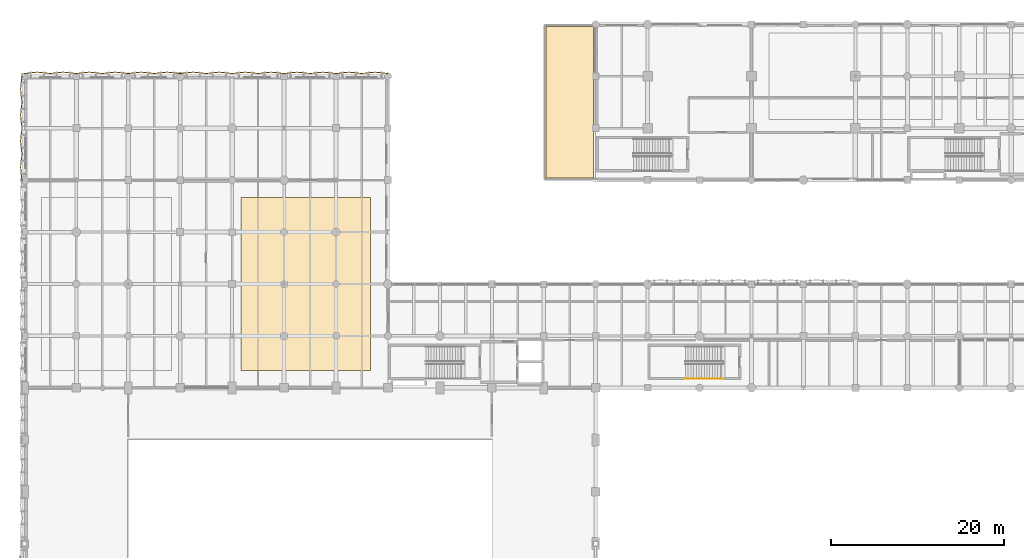
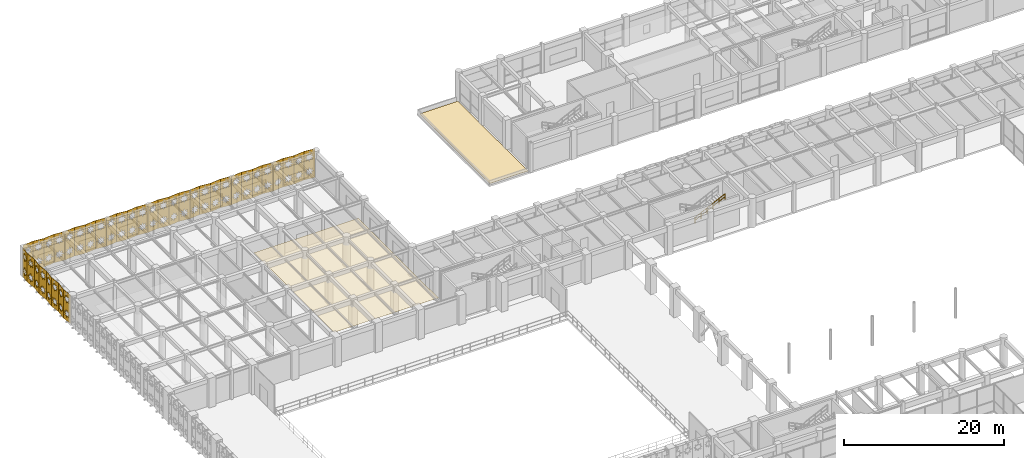
# One storey, part 127 of 133: 38 coverings, 1 railing.
"""IFC4 building model written with IfcOpenShell, lengths in metres."""

import ifcopenshell
import ifcopenshell.guid

model = None  # the IFC model being written
_history = None  # IfcOwnerHistory: only IFC2X3 demands one
_inside = {}  # id of a spatial element -> (the spatial element, [elements in it])
_under = {}  # id of a project, library or spatial element -> (it, [spatial elements below it])
_declared = {}  # id of a project -> (the project, [libraries it declares])
_typed = {}  # id of a type object -> (the type object, [elements of that type])
_made_of = {}  # id of a material, layer set ... -> (it, [elements and type objects made of it])


def new_model(schema):
    """Start an empty IFC model of exactly this schema.

    Asked for "IFC4X3", IfcOpenShell would pick the latest addendum, in which some entities
    have other attributes; the version numbers below select the first issue.
    IFC2X3 requires an IfcOwnerHistory on every rooted entity: one is made here for all.
    """
    global model, _history
    if schema == "IFC4X3":
        model = ifcopenshell.file(schema_version=(4, 3, 0, 0))
    else:
        model = ifcopenshell.file(schema=schema)
    _inside.clear()
    _under.clear()
    _declared.clear()
    _typed.clear()
    _made_of.clear()
    _history = None
    if model.schema == "IFC2X3":
        org = make("IfcOrganization", Name="unknown")
        user = make(
            "IfcPersonAndOrganization",
            ThePerson=make("IfcPerson", FamilyName="unknown"),
            TheOrganization=org,
        )
        app = make(
            "IfcApplication",
            ApplicationDeveloper=org,
            Version="unknown",
            ApplicationFullName="unknown",
            ApplicationIdentifier="unknown",
        )
        _history = make(
            "IfcOwnerHistory",
            OwningUser=user,
            OwningApplication=app,
            ChangeAction="ADDED",
            CreationDate=0,
        )
    return model


def make(cls, **values):
    """One entity of the class cls with the attributes given. An attribute that is None is left unset."""
    return model.create_entity(
        cls, **{name: value for name, value in values.items() if value is not None}
    )


def rooted(cls, **values):
    """An entity with a GlobalId (a new one), such as an element, a storey or a relation."""
    return make(cls, GlobalId=ifcopenshell.guid.new(), OwnerHistory=_history, **values)


def si_unit(unit_type, name, prefix=None):
    """IfcSIUnit, for example si_unit("LENGTHUNIT", "METRE", prefix="MILLI")."""
    return make("IfcSIUnit", UnitType=unit_type, Prefix=prefix, Name=name)


def assignment(units):
    """IfcUnitAssignment: the units of a project."""
    return None if units is None else make("IfcUnitAssignment", Units=units)


def point(xyz):
    """IfcCartesianPoint."""
    return None if xyz is None else make("IfcCartesianPoint", Coordinates=xyz)


def direction(xyz):
    """IfcDirection."""
    return None if xyz is None else make("IfcDirection", DirectionRatios=xyz)


def frame(location, z_axis=None, x_axis=None):
    """IfcAxis2Placement3D, a coordinate frame: its origin and axes. An axis left out is left unset."""
    return make(
        "IfcAxis2Placement3D",
        Location=point(location),
        Axis=direction(z_axis),
        RefDirection=direction(x_axis),
    )


def frame_2d(location, x_axis=None):
    """IfcAxis2Placement2D, a coordinate frame in the plane: its origin and x axis."""
    return make(
        "IfcAxis2Placement2D", Location=point(location), RefDirection=direction(x_axis)
    )


def origin():
    """The frame at (0, 0, 0) with its axes left unset."""
    return frame((0.0, 0.0, 0.0))


def origin_2d():
    """The frame at (0, 0) in the plane with its x axis left unset."""
    return frame_2d((0.0, 0.0))


def place(relative_to, where):
    """IfcLocalPlacement: puts the frame where relative to a parent placement (None: the world)."""
    return make(
        "IfcLocalPlacement", PlacementRelTo=relative_to, RelativePlacement=where
    )


def context(
    kind, dimensions, precision=None, world=None, true_north=None, identifier=None
):
    """IfcGeometricRepresentationContext, for example the 3D "Model" context."""
    return make(
        "IfcGeometricRepresentationContext",
        ContextIdentifier=identifier,
        ContextType=kind,
        CoordinateSpaceDimension=dimensions,
        Precision=precision,
        WorldCoordinateSystem=world,
        TrueNorth=true_north,
    )


def subcontext(parent, identifier, kind, view, scale=None):
    """IfcGeometricRepresentationSubContext, for example "Body" below "Model"."""
    return make(
        "IfcGeometricRepresentationSubContext",
        ContextIdentifier=identifier,
        ContextType=kind,
        ParentContext=parent,
        TargetScale=scale,
        TargetView=view,
    )


def project(units=None, contexts=None):
    """IfcProject with its units and contexts."""
    return rooted(
        "IfcProject",
        Name="project",
        RepresentationContexts=contexts,
        UnitsInContext=assignment(units),
    )


def spatial(cls, under=None, at=None, **own):
    """A site, building, storey or space (cls), placed at a placement, below another one or the project."""
    s = rooted(cls, ObjectPlacement=at, **own)
    if under is not None:
        _under.setdefault(under.id(), (under, []))[1].append(s)
    return s


def polyline(points):
    """IfcPolyline through the points."""
    return make("IfcPolyline", Points=[point(p) for p in points])


def profile(cls, at=None, kind="AREA", **sizes):
    """A parametric profile (cls). Its sizes go by their IFC names, for example OverallWidth=200.0."""
    return make(cls, ProfileType=kind, Position=at, **sizes)


def circle(**sizes):
    """IfcCircleProfileDef."""
    return profile("IfcCircleProfileDef", **sizes)


def outline(outer, holes=None, kind="AREA"):
    """IfcArbitraryClosedProfileDef: a profile drawn as a closed curve; with holes, ...WithVoids."""
    if holes is None:
        return make("IfcArbitraryClosedProfileDef", ProfileType=kind, OuterCurve=outer)
    return make(
        "IfcArbitraryProfileDefWithVoids",
        ProfileType=kind,
        OuterCurve=outer,
        InnerCurves=holes,
    )


def extrude(swept, where, along, depth):
    """IfcExtrudedAreaSolid: the profile swept, set in the frame where, extruded along a direction by depth."""
    return make(
        "IfcExtrudedAreaSolid",
        SweptArea=swept,
        Position=where,
        ExtrudedDirection=direction(along),
        Depth=depth,
    )


def shape(context_of_items, identifier, shape_type, items):
    """IfcShapeRepresentation: the items that make up one representation, for example the "Body"."""
    return make(
        "IfcShapeRepresentation",
        ContextOfItems=context_of_items,
        RepresentationIdentifier=identifier,
        RepresentationType=shape_type,
        Items=items,
    )


def material(Name=None, Category=None):
    """IfcMaterial."""
    return make("IfcMaterial", Name=Name, Category=Category)


def layer(
    of_material, thickness, ventilated=None, Name=None, Category=None, Priority=None
):
    """IfcMaterialLayer: one layer of a wall or slab, of a material (None: an air gap)."""
    return make(
        "IfcMaterialLayer",
        Material=of_material,
        LayerThickness=thickness,
        IsVentilated=ventilated,
        Name=Name,
        Category=Category,
        Priority=Priority,
    )


def layer_set(layers, Name=None):
    """IfcMaterialLayerSet."""
    return make("IfcMaterialLayerSet", MaterialLayers=layers, LayerSetName=Name)


def made_of(thing, what):
    """Note that an element or type object is made of a material, layer set ...; save() writes the relation."""
    if what is not None:
        _made_of.setdefault(what.id(), (what, []))[1].append(thing)
    return thing


def type_object(cls, material=None, **own):
    """A type object (cls), such as IfcWallType, which elements share."""
    return made_of(rooted(cls, **own), material)


def element(
    cls,
    number,
    at=None,
    inside=None,
    cuts=None,
    type_object=None,
    material=None,
    context=None,
    identifier="Body",
    shape_type=None,
    held_by="IfcProductDefinitionShape",
    body=None,
    shapes=None,
    **own,
):
    """One element of the class cls, such as IfcWall. Its Tag is "e" and its number.

    at: its placement. inside: the storey or other place that contains it. cuts: it is an
    opening in that element (IfcRelVoidsElement). A single representation is given by context,
    identifier, shape_type and body (its items); several are given by shapes. held_by: the class
    of the entity that holds the representations. save() writes the other relations.
    """
    e = rooted(cls, Tag="e%d" % number, ObjectPlacement=at, **own)
    if body is not None:
        shapes = [shape(context, identifier, shape_type, body)]
    if shapes is not None:
        e.Representation = make(held_by, Representations=shapes)
    if inside is not None:
        _inside.setdefault(inside.id(), (inside, []))[1].append(e)
    if cuts is not None:
        rooted(
            "IfcRelVoidsElement", RelatingBuildingElement=cuts, RelatedOpeningElement=e
        )
    if type_object is not None:
        _typed.setdefault(type_object.id(), (type_object, []))[1].append(e)
    return made_of(e, material)


def aggregate(whole, parts):
    """IfcRelAggregates: a whole, such as a stair, and the parts it consists of."""
    return rooted("IfcRelAggregates", RelatingObject=whole, RelatedObjects=parts)


def save(model, path):
    """Write the relations noted so far, then the file.

    IfcRelAggregates (storeys below a building ...), IfcRelContainedInSpatialStructure (elements
    in a storey), IfcRelDefinesByType, IfcRelAssociatesMaterial and IfcRelDeclares: one each for
    every whole, place, type object, material and project.
    """
    for whole, parts in _under.values():
        aggregate(whole, parts)
    for where, things in _inside.values():
        rooted(
            "IfcRelContainedInSpatialStructure",
            RelatedElements=things,
            RelatingStructure=where,
        )
    for kind, things in _typed.values():
        rooted("IfcRelDefinesByType", RelatedObjects=things, RelatingType=kind)
    for what, things in _made_of.values():
        rooted("IfcRelAssociatesMaterial", RelatedObjects=things, RelatingMaterial=what)
    for by, libraries in _declared.values():
        rooted("IfcRelDeclares", RelatingContext=by, RelatedDefinitions=libraries)
    model.write(path)


model = new_model("IFC4")

# Units and contexts
model_context = context("Model", 3, precision=1e-05, world=origin(), true_north=direction((0.0, 1.0)))
body_context = subcontext(model_context, "Body", "Model", "MODEL_VIEW")
ifc_project = project(units=[si_unit("LENGTHUNIT", "METRE"), si_unit("AREAUNIT", "SQUARE_METRE"), si_unit("VOLUMEUNIT", "CUBIC_METRE"), si_unit("PLANEANGLEUNIT", "RADIAN"), si_unit("MASSUNIT", "GRAM", prefix="KILO"), si_unit("THERMODYNAMICTEMPERATUREUNIT", "KELVIN"), si_unit("POWERUNIT", "WATT")], contexts=[model_context])

# Site, building, storey
site_placement = place(None, origin())
site = spatial("IfcSite", under=ifc_project, at=site_placement, CompositionType="ELEMENT")
building_placement = place(site_placement, origin())
building = spatial("IfcBuilding", under=site, at=building_placement, Name="Phaisarnlok Congress Hotel", CompositionType="ELEMENT")
storey_placement = place(building_placement, frame((0.0, 0.0, 6.0)))
storey = spatial("IfcBuildingStorey", under=building, at=storey_placement, Name="L01", CompositionType="ELEMENT", Elevation=6.0)

# Coverings
ifc_material_1 = material(Name="Moisture-Resistant Gypsum Ceiling Board", Category="gypsum")
ifc_layer_1 = layer(ifc_material_1, 0.014892578125, Name="Moisture-Resistant Gypsum Ceiling Board")
ifc_layer_set_1 = layer_set([ifc_layer_1], Name="Moisture-Resistant Gypsum Ceiling Board")
covering_type_1 = type_object("IfcCoveringType", Name="CLG-GYP-15", PredefinedType="CEILING", material=ifc_layer_set_1)
covering_1_placement = place(storey_placement, frame((0.0, 0.0, 3.199951171875)))
element("IfcCovering", 1, at=covering_1_placement, inside=storey, type_object=covering_type_1, Name="Suspended ceiling CLG-02 (L01)", PredefinedType="CEILING", context=body_context, shape_type="SweptSolid", body=[
    extrude(outline(polyline([(40.0, 106.0), (40.0, 86.0), (25.0, 86.0), (25.0, 106.0), (40.0, 106.0)])), origin(), (0.0, 0.0, 1.0), 0.01513671875),
])
ifc_material_2 = material(Name="TPO Waterproofing Membrane & Rigid PIR Insulation", Category="other")
ifc_layer_2 = layer(ifc_material_2, 0.050048828125, Name="TPO Waterproofing Membrane & Rigid PIR Insulation")
ifc_layer_set_2 = layer_set([ifc_layer_2], Name="TPO Waterproofing Membrane & Rigid PIR Insulation")
covering_type_2 = type_object("IfcCoveringType", Name="COV-ROOF-MEMB", PredefinedType="ROOFING", material=ifc_layer_set_2)
covering_2_placement = place(storey_placement, origin())
element("IfcCovering", 2, at=covering_2_placement, inside=storey, type_object=covering_type_2, Name="Podium roof waterproofing membrane RF-01 (L01 pod_rest_w)", PredefinedType="ROOFING", context=body_context, shape_type="SweptSolid", body=[
    extrude(outline(polyline([(60.25, 108.25), (65.75, 108.25), (65.75, 125.75), (60.25, 125.75), (60.25, 108.25)])), origin(), (0.0, 0.0, 1.0), 0.050048828125),
])
ifc_material_3 = material(Name="PVDF White Perforated Aluminium Alloy 5052", Category="aluminium")
ifc_layer_3 = layer(ifc_material_3, 0.0400390625, Name="PVDF White Perforated Aluminium Alloy 5052")
ifc_layer_set_3 = layer_set([ifc_layer_3], Name="PVDF White Perforated Aluminium Alloy 5052")
covering_type_3 = type_object("IfcCoveringType", Name="COV-STAR-FOLD", PredefinedType="CLADDING", material=ifc_layer_set_3)
for number, where, z_axis, x_axis, name in (
    (3, (-0.300048828125, 108.0, 0.06005859375), (0.994517863207, 0.104566819602, 0.0), (-0.104566819602, 0.994517863207, 0.0), "Folded star-perforated hall screen SS-02 (V3W L01)"),
    (4, (-0.457763671875, 109.5, 0.06005859375), (0.994517863207, -0.104566819602, 0.0), (0.104566819602, 0.994517863207, 0.0), "Folded star-perforated hall screen SS-02 (V3W L01)"),
    (5, (-0.300048828125, 111.0, 0.06005859375), (0.994517863207, 0.104566819602, 0.0), (-0.104566819602, 0.994517863207, 0.0), "Folded star-perforated hall screen SS-02 (V3W L01)"),
    (6, (-0.457763671875, 112.5, 0.06005859375), (0.994517863207, -0.104566819602, 0.0), (0.104566819602, 0.994517863207, 0.0), "Folded star-perforated hall screen SS-02 (V3W L01)"),
    (7, (-0.300048828125, 114.0, 0.06005859375), (0.994517863207, 0.104566819602, 0.0), (-0.104566819602, 0.994517863207, 0.0), "Folded star-perforated hall screen SS-02 (V3W L01)"),
    (8, (-0.457763671875, 115.5, 0.06005859375), (0.994517863207, -0.104566819602, 0.0), (0.104566819602, 0.994517863207, 0.0), "Folded star-perforated hall screen SS-02 (V3W L01)"),
    (9, (-0.300048828125, 117.0, 0.06005859375), (0.994517863207, 0.104566819602, 0.0), (-0.104566819602, 0.994517863207, 0.0), "Folded star-perforated hall screen SS-02 (V3W L01)"),
    (10, (-0.457763671875, 118.5, 0.06005859375), (0.994517863207, -0.104566819602, 0.0), (0.104566819602, 0.994517863207, 0.0), "Folded star-perforated hall screen SS-02 (V3W L01)"),
    (11, (1.5, 120.457763671875, 0.06005859375), (-0.104566819602, 0.994517863207, 0.0), (-0.994517863207, -0.104566819602, 0.0), "Folded star-perforated hall screen SS-02 (V3N L01)"),
    (12, (3.0, 120.300048828125, 0.06005859375), (0.104566819602, 0.994517863207, 0.0), (-0.994517863207, 0.104566819602, 0.0), "Folded star-perforated hall screen SS-02 (V3N L01)"),
    (13, (4.5, 120.457763671875, 0.06005859375), (-0.104566819602, 0.994517863207, 0.0), (-0.994517863207, -0.104566819602, 0.0), "Folded star-perforated hall screen SS-02 (V3N L01)"),
    (14, (6.0, 120.300048828125, 0.06005859375), (0.104566819602, 0.994517863207, 0.0), (-0.994517863207, 0.104566819602, 0.0), "Folded star-perforated hall screen SS-02 (V3N L01)"),
    (15, (7.5, 120.457763671875, 0.06005859375), (-0.104566819602, 0.994517863207, 0.0), (-0.994517863207, -0.104566819602, 0.0), "Folded star-perforated hall screen SS-02 (V3N L01)"),
    (16, (9.0, 120.300048828125, 0.06005859375), (0.104566819602, 0.994517863207, 0.0), (-0.994517863207, 0.104566819602, 0.0), "Folded star-perforated hall screen SS-02 (V3N L01)"),
    (17, (10.5, 120.457763671875, 0.06005859375), (-0.104566819602, 0.994517863207, 0.0), (-0.994517863207, -0.104566819602, 0.0), "Folded star-perforated hall screen SS-02 (V3N L01)"),
    (18, (12.0, 120.300048828125, 0.06005859375), (0.104566819602, 0.994517863207, 0.0), (-0.994517863207, 0.104566819602, 0.0), "Folded star-perforated hall screen SS-02 (V3N L01)"),
    (19, (13.5, 120.457763671875, 0.06005859375), (-0.104566819602, 0.994517863207, 0.0), (-0.994517863207, -0.104566819602, 0.0), "Folded star-perforated hall screen SS-02 (V3N L01)"),
    (20, (15.0, 120.300048828125, 0.06005859375), (0.104566819602, 0.994517863207, 0.0), (-0.994517863207, 0.104566819602, 0.0), "Folded star-perforated hall screen SS-02 (V3N L01)"),
    (21, (16.5, 120.457763671875, 0.06005859375), (-0.104566819602, 0.994517863207, 0.0), (-0.994517863207, -0.104566819602, 0.0), "Folded star-perforated hall screen SS-02 (V3N L01)"),
    (22, (18.0, 120.300048828125, 0.06005859375), (0.104566819602, 0.994517863207, 0.0), (-0.994517863207, 0.104566819602, 0.0), "Folded star-perforated hall screen SS-02 (V3N L01)"),
    (23, (19.5, 120.457763671875, 0.06005859375), (-0.104566819602, 0.994517863207, 0.0), (-0.994517863207, -0.104566819602, 0.0), "Folded star-perforated hall screen SS-02 (V3N L01)"),
    (24, (21.0, 120.300048828125, 0.06005859375), (0.104566819602, 0.994517863207, 0.0), (-0.994517863207, 0.104566819602, 0.0), "Folded star-perforated hall screen SS-02 (V3N L01)"),
    (25, (22.5, 120.457763671875, 0.06005859375), (-0.104566819602, 0.994517863207, 0.0), (-0.994517863207, -0.104566819602, 0.0), "Folded star-perforated hall screen SS-02 (V3N L01)"),
    (26, (24.0, 120.300048828125, 0.06005859375), (0.104566819602, 0.994517863207, 0.0), (-0.994517863207, 0.104566819602, 0.0), "Folded star-perforated hall screen SS-02 (V3N L01)"),
    (27, (25.5, 120.457763671875, 0.06005859375), (-0.104566819602, 0.994517863207, 0.0), (-0.994517863207, -0.104566819602, 0.0), "Folded star-perforated hall screen SS-02 (V3N L01)"),
    (28, (27.0, 120.300048828125, 0.06005859375), (0.104566819602, 0.994517863207, 0.0), (-0.994517863207, 0.104566819602, 0.0), "Folded star-perforated hall screen SS-02 (V3N L01)"),
    (29, (28.5, 120.457763671875, 0.06005859375), (-0.104566819602, 0.994517863207, 0.0), (-0.994517863207, -0.104566819602, 0.0), "Folded star-perforated hall screen SS-02 (V3N L01)"),
    (30, (30.0, 120.300048828125, 0.06005859375), (0.104566819602, 0.994517863207, 0.0), (-0.994517863207, 0.104566819602, 0.0), "Folded star-perforated hall screen SS-02 (V3N L01)"),
    (31, (31.5, 120.457763671875, 0.06005859375), (-0.104566819602, 0.994517863207, 0.0), (-0.994517863207, -0.104566819602, 0.0), "Folded star-perforated hall screen SS-02 (V3N L01)"),
    (32, (33.0, 120.300048828125, 0.06005859375), (0.104566819602, 0.994517863207, 0.0), (-0.994517863207, 0.104566819602, 0.0), "Folded star-perforated hall screen SS-02 (V3N L01)"),
    (33, (34.5, 120.457763671875, 0.06005859375), (-0.104566819602, 0.994517863207, 0.0), (-0.994517863207, -0.104566819602, 0.0), "Folded star-perforated hall screen SS-02 (V3N L01)"),
    (34, (36.0, 120.300048828125, 0.06005859375), (0.104566819602, 0.994517863207, 0.0), (-0.994517863207, 0.104566819602, 0.0), "Folded star-perforated hall screen SS-02 (V3N L01)"),
    (35, (37.5, 120.457763671875, 0.06005859375), (-0.104566819602, 0.994517863207, 0.0), (-0.994517863207, -0.104566819602, 0.0), "Folded star-perforated hall screen SS-02 (V3N L01)"),
    (36, (39.0, 120.300048828125, 0.06005859375), (0.104566819602, 0.994517863207, 0.0), (-0.994517863207, 0.104566819602, 0.0), "Folded star-perforated hall screen SS-02 (V3N L01)"),
    (37, (40.5, 120.457763671875, 0.06005859375), (-0.104566819602, 0.994517863207, 0.0), (-0.994517863207, -0.104566819602, 0.0), "Folded star-perforated hall screen SS-02 (V3N L01)"),
    (38, (42.0, 120.300048828125, 0.06005859375), (0.104566819602, 0.994517863207, 0.0), (-0.994517863207, 0.104566819602, 0.0), "Folded star-perforated hall screen SS-02 (V3N L01)"),
):
    element("IfcCovering", number, at=place(storey_placement, frame(where, z_axis=z_axis, x_axis=x_axis)), inside=storey, type_object=covering_type_3, Name=name, PredefinedType="CLADDING", context=body_context, shape_type="SweptSolid", body=[
        extrude(outline(polyline([(0.0, 0.0), (1.5082685344258453, 0.0), (1.5082685344258453, 4.35986328125), (0.0, 4.35986328125), (0.0, 0.0)]), holes=[polyline([(1.0351, 0.9736), (1.2021, 0.6421), (0.8705, 0.8091), (0.7541, 0.4565), (0.6378, 0.8091), (0.3062, 0.6421), (0.4732, 0.9736), (0.1207, 1.09), (0.4732, 1.2064), (0.3062, 1.5379), (0.6378, 1.3709), (0.7541, 1.7235), (0.8705, 1.3709), (1.2021, 1.5379), (1.0351, 1.2064), (1.3876, 1.09), (1.0351, 0.9736)]), polyline([(1.0351, 3.1536), (1.2021, 2.8221), (0.8705, 2.9891), (0.7541, 2.6365), (0.6378, 2.9891), (0.3062, 2.8221), (0.4732, 3.1536), (0.1207, 3.27), (0.4732, 3.3864), (0.3062, 3.7179), (0.6378, 3.5509), (0.7541, 3.9035), (0.8705, 3.5509), (1.2021, 3.7179), (1.0351, 3.3864), (1.3876, 3.27), (1.0351, 3.1536)])]), origin(), (0.0, 0.0, 1.0), 0.0400390625),
    ])

# Railing
ifc_material_4 = material(Name="Brushed Stainless Steel Grade 304", Category="steel")
railing_type = type_object("IfcRailingType", Name="RLG-STR-HRAIL", PredefinedType="HANDRAIL", material=ifc_material_4)
railing_placement = place(storey_placement, frame((76.3798828125, 85.050048828125, 2.39990234375)))
element("IfcRailing", 39, at=railing_placement, inside=storey, type_object=railing_type, Name="L01 ST-11 stair handrail 2", PredefinedType="HANDRAIL", context=body_context, shape_type="SweptSolid", body=[
    extrude(circle(Radius=0.02392578125, at=origin_2d()), frame((0.0, 0.0, 0.8759765625), z_axis=(0.900154768424, 0.0, 0.435570192832), x_axis=(0.0, 1.0, 0.0)), (0.0, 0.0, 1.0), 4.821533203125),
    extrude(circle(Radius=0.02392578125, at=origin_2d()), frame((0.0, 0.0, 0.42578125), z_axis=(0.900154768424, 0.0, 0.435570192832), x_axis=(0.0, 1.0, 0.0)), (0.0, 0.0, 1.0), 4.821533203125),
    extrude(circle(Radius=0.02099609375, at=origin_2d()), origin(), (0.0, 0.0, 1.0), 0.851806640625),
    extrude(circle(Radius=0.02099609375, at=origin_2d()), frame((0.867919921875, 0.0, 0.419921875)), (0.0, 0.0, 1.0), 0.851806640625),
    extrude(circle(Radius=0.02099609375, at=origin_2d()), frame((1.736083984375, 0.0, 0.840087890625)), (0.0, 0.0, 1.0), 0.851806640625),
    extrude(circle(Radius=0.02099609375, at=origin_2d()), frame((2.60400390625, 0.0, 1.260009765625)), (0.0, 0.0, 1.0), 0.851806640625),
    extrude(circle(Radius=0.02099609375, at=origin_2d()), frame((3.47216796875, 0.0, 1.68017578125)), (0.0, 0.0, 1.0), 0.851806640625),
    extrude(circle(Radius=0.02099609375, at=origin_2d()), frame((4.340087890625, 0.0, 2.10009765625)), (0.0, 0.0, 1.0), 0.851806640625),
])

save(model, "model.ifc")
